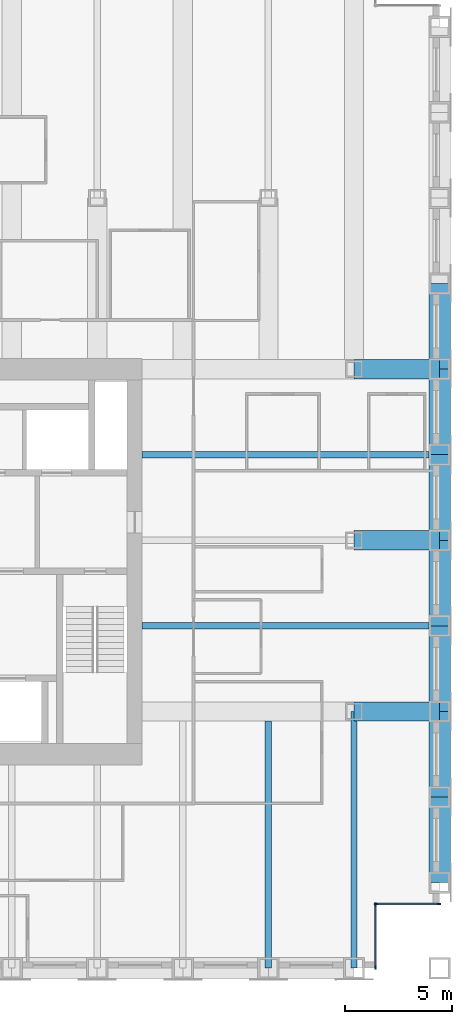
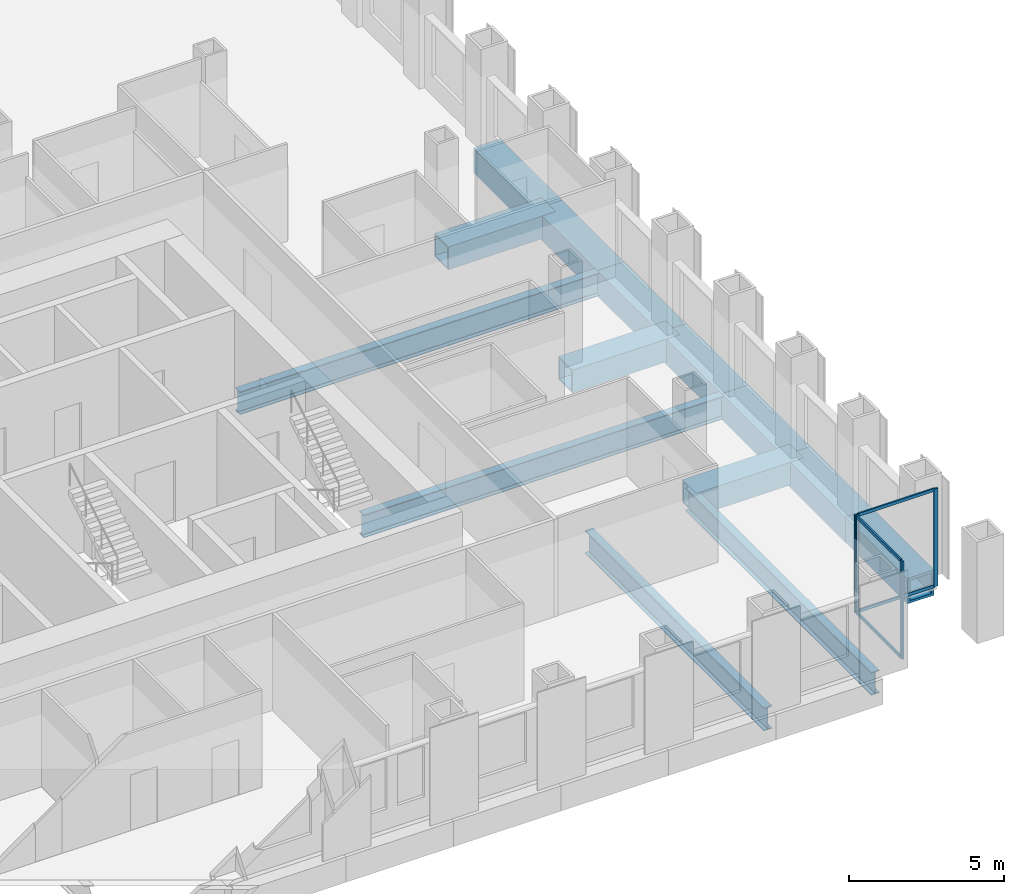
# One storey, part 4 of 14: 14 beams, 8 members, 2 elements without a shape of their own.
"""IFC4 building model written with IfcOpenShell, lengths in metres."""

from ifc_helpers import new_model, si_unit, direction, frame, origin, origin_2d, place, context, subcontext, project, spatial, rectangle, hollow_rectangle, i_section, extrude, material, material_profile, profile_set, type_object, element, aggregate, save


model = new_model("IFC4")

# Units and contexts
model_context = context("Model", 3, precision=1e-05, world=origin(), true_north=direction((0.0, 1.0)))
body_context = subcontext(model_context, "Body", "Model", "MODEL_VIEW")
ifc_project = project(units=[si_unit("LENGTHUNIT", "METRE"), si_unit("AREAUNIT", "SQUARE_METRE"), si_unit("VOLUMEUNIT", "CUBIC_METRE"), si_unit("PLANEANGLEUNIT", "RADIAN"), si_unit("MASSUNIT", "GRAM", prefix="KILO")], contexts=[model_context])

# Site, building, storey
site_placement = place(None, origin())
site = spatial("IfcSite", under=ifc_project, at=site_placement, CompositionType="ELEMENT")
building_placement = place(site_placement, origin())
building = spatial("IfcBuilding", under=site, at=building_placement, Name="Rimbunsela Tower", CompositionType="ELEMENT")
storey_placement = place(building_placement, frame((0.0, 0.0, 226.199951171875)))
storey = spatial("IfcBuildingStorey", under=building, at=storey_placement, Name="L54", CompositionType="ELEMENT", Elevation=226.199951171875)

# Beams
ifc_material_1 = material(Name="Steel BJ 55 (fy 410 MPa)", Category="steel")
ifc_material_profile_1 = material_profile(ifc_material_1, hollow_rectangle(XDim=1.0, YDim=1.0, WallThickness=0.10009765625, at=origin_2d()), Name="BOX 1000x1000x100")
ifc_profile_set_1 = profile_set([ifc_material_profile_1], Name="Steel BJ 55 (fy 410 MPa)")
beam_type_1 = type_object("IfcBeamType", Name="Beam BOX 1000x1000x100", PredefinedType="BEAM", material=ifc_profile_set_1)
for number, where, z_axis, x_axis, name in (
    (1, (50.0, 12.0, -0.64990234375), (0.0, 1.0, 0.0), (-1.0, 0.0, 0.0), "Beam B3 L54"),
    (2, (50.0, 16.0, -0.64990234375), (0.0, 1.0, 0.0), (-1.0, 0.0, 0.0), "Beam B3 L54"),
    (3, (50.0, 20.0, -0.64990234375), (0.0, 1.0, 0.0), (-1.0, 0.0, 0.0), "Beam B3 L54"),
    (4, (50.0, 24.0, -0.64990234375), (0.0, 1.0, 0.0), (-1.0, 0.0, 0.0), "Beam B3 L54"),
    (5, (50.0, 28.0, -0.64990234375), (0.0, 1.0, 0.0), (-1.0, 0.0, 0.0), "Beam B3 L54"),
    (6, (50.0, 32.0, -0.64990234375), (0.0, 1.0, 0.0), (-1.0, 0.0, 0.0), "Beam B3 L54"),
    (7, (50.0, 36.0, -0.64990234375), (0.0, 1.0, 0.0), (-1.0, 0.0, 0.0), "Beam B3 L54"),
):
    element("IfcBeam", number, at=place(storey_placement, frame(where, z_axis=z_axis, x_axis=x_axis)), inside=storey, type_object=beam_type_1, Name=name, PredefinedType="BEAM", context=body_context, shape_type="SweptSolid", body=[
        extrude(hollow_rectangle(XDim=1.0, YDim=1.0, WallThickness=0.10009765625, at=origin_2d()), origin(), (0.0, 0.0, 1.0), 4.0),
    ])
ifc_material_2 = material(Name="Steel BJ 55 (fy 410 MPa)", Category="steel")
ifc_material_profile_2 = material_profile(ifc_material_2, hollow_rectangle(XDim=0.89990234375, YDim=0.89990234375, WallThickness=0.06005859375, at=origin_2d()), Name="BOX 900x900x60")
ifc_profile_set_2 = profile_set([ifc_material_profile_2], Name="Steel BJ 55 (fy 410 MPa)")
beam_type_2 = type_object("IfcBeamType", Name="Beam BOX 900x900x60", PredefinedType="BEAM", material=ifc_profile_set_2)
for number, where, z_axis, x_axis, name in (
    (8, (46.0, 20.0, -0.599853515625), (1.0, 0.0, 0.0), (0.0, 1.0, 0.0), "Beam B1 L54"),
    (9, (46.0, 28.0, -0.599853515625), (1.0, 0.0, 0.0), (0.0, 1.0, 0.0), "Beam B1 L54"),
    (10, (46.0, 36.0, -0.599853515625), (1.0, 0.0, 0.0), (0.0, 1.0, 0.0), "Beam B1 L54"),
):
    element("IfcBeam", number, at=place(storey_placement, frame(where, z_axis=z_axis, x_axis=x_axis)), inside=storey, type_object=beam_type_2, Name=name, PredefinedType="BEAM", context=body_context, shape_type="SweptSolid", body=[
        extrude(hollow_rectangle(XDim=0.89990234375, YDim=0.89990234375, WallThickness=0.06005859375, at=origin_2d()), origin(), (0.0, 0.0, 1.0), 4.0),
    ])
ifc_material_3 = material(Name="Steel BJ 55 (fy 410 MPa)", Category="steel")
ifc_material_profile_3 = material_profile(ifc_material_3, i_section(OverallWidth=0.300048828125, OverallDepth=0.89990234375, WebThickness=0.01611328125, FlangeThickness=0.028076171875, FilletRadius=0.028076171875, at=origin_2d()), Name="H 900x300x16x28")
ifc_profile_set_3 = profile_set([ifc_material_profile_3], Name="Steel BJ 55 (fy 410 MPa)")
beam_type_3 = type_object("IfcBeamType", Name="Beam H 900x300x16x28", PredefinedType="BEAM", material=ifc_profile_set_3)
for number, where, z_axis, x_axis, name in (
    (11, (36.10009765625, 24.0, -0.599853515625), (1.0, 0.0, 0.0), (0.0, 1.0, 0.0), "Beam B2 L54"),
    (12, (36.10009765625, 32.0, -0.599853515625), (1.0, 0.0, 0.0), (0.0, 1.0, 0.0), "Beam B2 L54"),
):
    element("IfcBeam", number, at=place(storey_placement, frame(where, z_axis=z_axis, x_axis=x_axis)), inside=storey, type_object=beam_type_3, Name=name, PredefinedType="BEAM", context=body_context, shape_type="SweptSolid", body=[
        extrude(i_section(OverallWidth=0.300048828125, OverallDepth=0.89990234375, WebThickness=0.01611328125, FlangeThickness=0.028076171875, FilletRadius=0.028076171875, at=origin_2d()), origin(), (0.0, 0.0, 1.0), 13.89990234375),
    ])
beam_1_placement = place(storey_placement, frame((42.0, 8.0, -0.599853515625), z_axis=(0.0, 1.0, 0.0), x_axis=(-1.0, 0.0, 0.0)))
element("IfcBeam", 13, at=beam_1_placement, inside=storey, type_object=beam_type_3, Name="Beam B2 L54", PredefinedType="BEAM", context=body_context, shape_type="SweptSolid", body=[
    extrude(i_section(OverallWidth=0.300048828125, OverallDepth=0.89990234375, WebThickness=0.01611328125, FlangeThickness=0.028076171875, FilletRadius=0.028076171875, at=origin_2d()), origin(), (0.0, 0.0, 1.0), 11.550048828125),
])
beam_2_placement = place(storey_placement, frame((46.0, 8.0, -0.599853515625), z_axis=(0.0, 1.0, 0.0), x_axis=(-1.0, 0.0, 0.0)))
element("IfcBeam", 14, at=beam_2_placement, inside=storey, type_object=beam_type_3, Name="Beam B2 L54", PredefinedType="BEAM", context=body_context, shape_type="SweptSolid", body=[
    extrude(i_section(OverallWidth=0.300048828125, OverallDepth=0.89990234375, WebThickness=0.01611328125, FlangeThickness=0.028076171875, FilletRadius=0.028076171875, at=origin_2d()), origin(), (0.0, 0.0, 1.0), 12.0),
])

# Curtain wall, members
ifc_material_4 = material(Name="Aluminium curtain wall", Category="aluminium")
curtain_wall_type = type_object("IfcCurtainWallType", Name="Corner glazing", PredefinedType="USERDEFINED", material=ifc_material_4)
curtain_wall_1_placement = place(storey_placement, origin())
curtain_wall_1 = element("IfcCurtainWall", 15, at=curtain_wall_1_placement, inside=storey, type_object=curtain_wall_type, Name="Corner glazing L54", ObjectType="CORNER GLAZING", PredefinedType="USERDEFINED")
ifc_material_5 = material(Name="Aluminium mullion", Category="aluminium")
ifc_material_profile_4 = material_profile(ifc_material_5, rectangle(XDim=0.06005859375, YDim=0.159912109375, at=origin_2d()), Name="Mullion 60x160")
ifc_profile_set_4 = profile_set([ifc_material_profile_4], Name="Aluminium mullion")
member_type_1 = type_object("IfcMemberType", Name="Curtain wall mullion 60x160", PredefinedType="MULLION", material=ifc_profile_set_4)
member_1_placement = place(storey_placement, frame((47.0, 8.030029296875, 0.0), z_axis=(0.0, 0.0, 1.0), x_axis=(-1.0, 0.0, 0.0)))
member_1 = element("IfcMember", 16, at=member_1_placement, type_object=member_type_1, Name="CW5 mullion 1", PredefinedType="MULLION", context=body_context, shape_type="SweptSolid", body=[
    extrude(rectangle(XDim=0.06005859375, YDim=0.159912109375, at=origin_2d()), origin(), (0.0, 0.0, 1.0), 3.85009765625),
])
member_2_placement = place(storey_placement, frame((47.0, 10.969970703125, 0.0), z_axis=(0.0, 0.0, 1.0), x_axis=(-1.0, 0.0, 0.0)))
member_2 = element("IfcMember", 17, at=member_2_placement, type_object=member_type_1, Name="CW5 mullion 2", PredefinedType="MULLION", context=body_context, shape_type="SweptSolid", body=[
    extrude(rectangle(XDim=0.06005859375, YDim=0.159912109375, at=origin_2d()), origin(), (0.0, 0.0, 1.0), 3.85009765625),
])

curtain_wall_2_placement = place(storey_placement, origin())
curtain_wall_2 = element("IfcCurtainWall", 18, at=curtain_wall_2_placement, inside=storey, type_object=curtain_wall_type, Name="Corner glazing L54", ObjectType="CORNER GLAZING", PredefinedType="USERDEFINED")
member_3_placement = place(storey_placement, frame((47.030029296875, 11.0, 0.0), z_axis=(0.0, 0.0, 1.0), x_axis=(0.0, 1.0, 0.0)))
member_3 = element("IfcMember", 19, at=member_3_placement, type_object=member_type_1, Name="CW5 mullion 1", PredefinedType="MULLION", context=body_context, shape_type="SweptSolid", body=[
    extrude(rectangle(XDim=0.06005859375, YDim=0.159912109375, at=origin_2d()), origin(), (0.0, 0.0, 1.0), 3.85009765625),
])
member_4_placement = place(storey_placement, frame((49.969970703125, 11.0, 0.0), z_axis=(0.0, 0.0, 1.0), x_axis=(0.0, 1.0, 0.0)))
member_4 = element("IfcMember", 20, at=member_4_placement, type_object=member_type_1, Name="CW5 mullion 2", PredefinedType="MULLION", context=body_context, shape_type="SweptSolid", body=[
    extrude(rectangle(XDim=0.06005859375, YDim=0.159912109375, at=origin_2d()), origin(), (0.0, 0.0, 1.0), 3.85009765625),
])

# Member
ifc_material_6 = material(Name="Aluminium transom", Category="aluminium")
ifc_material_profile_5 = material_profile(ifc_material_6, rectangle(XDim=0.06005859375, YDim=0.1201171875, at=origin_2d()), Name="Transom 60x120")
ifc_profile_set_5 = profile_set([ifc_material_profile_5], Name="Aluminium transom")
member_type_2 = type_object("IfcMemberType", Name="Curtain wall transom 60x120", PredefinedType="USERDEFINED", material=ifc_profile_set_5)
member_5_placement = place(storey_placement, frame((47.0, 8.06005859375, 0.030029296875), z_axis=(0.0, 1.0, 0.0), x_axis=(-1.0, 0.0, 0.0)))
member_5 = element("IfcMember", 21, at=member_5_placement, type_object=member_type_2, Name="CW5 transom 1.1", ObjectType="TRANSOM", PredefinedType="USERDEFINED", context=body_context, shape_type="SweptSolid", body=[
    extrude(rectangle(XDim=0.06005859375, YDim=0.1201171875, at=origin_2d()), origin(), (0.0, 0.0, 1.0), 2.8798828125),
])

member_6_placement = place(storey_placement, frame((47.0, 8.06005859375, 3.820068359375), z_axis=(0.0, 1.0, 0.0), x_axis=(-1.0, 0.0, 0.0)))
member_6 = element("IfcMember", 22, at=member_6_placement, type_object=member_type_2, Name="CW5 transom 1.2", ObjectType="TRANSOM", PredefinedType="USERDEFINED", context=body_context, shape_type="SweptSolid", body=[
    extrude(rectangle(XDim=0.06005859375, YDim=0.1201171875, at=origin_2d()), origin(), (0.0, 0.0, 1.0), 2.8798828125),
])

aggregate(curtain_wall_1, [member_1, member_2, member_5, member_6])

member_7_placement = place(storey_placement, frame((47.06005859375, 11.0, 0.030029296875), z_axis=(1.0, 0.0, 0.0), x_axis=(0.0, 1.0, 0.0)))
member_7 = element("IfcMember", 23, at=member_7_placement, type_object=member_type_2, Name="CW5 transom 1.1", ObjectType="TRANSOM", PredefinedType="USERDEFINED", context=body_context, shape_type="SweptSolid", body=[
    extrude(rectangle(XDim=0.06005859375, YDim=0.1201171875, at=origin_2d()), origin(), (0.0, 0.0, 1.0), 2.8798828125),
])

member_8_placement = place(storey_placement, frame((47.06005859375, 11.0, 3.820068359375), z_axis=(1.0, 0.0, 0.0), x_axis=(0.0, 1.0, 0.0)))
member_8 = element("IfcMember", 24, at=member_8_placement, type_object=member_type_2, Name="CW5 transom 1.2", ObjectType="TRANSOM", PredefinedType="USERDEFINED", context=body_context, shape_type="SweptSolid", body=[
    extrude(rectangle(XDim=0.06005859375, YDim=0.1201171875, at=origin_2d()), origin(), (0.0, 0.0, 1.0), 2.8798828125),
])

aggregate(curtain_wall_2, [member_3, member_4, member_7, member_8])

save(model, "model.ifc")
